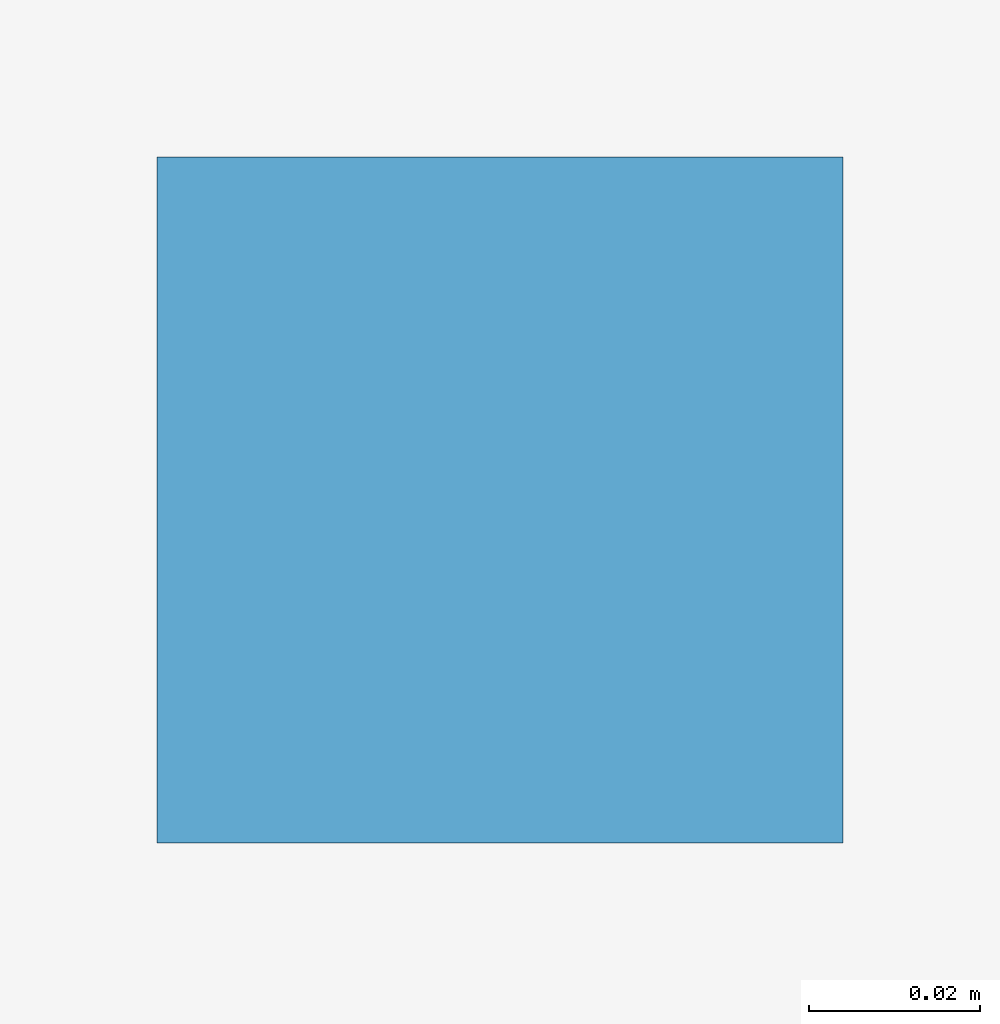
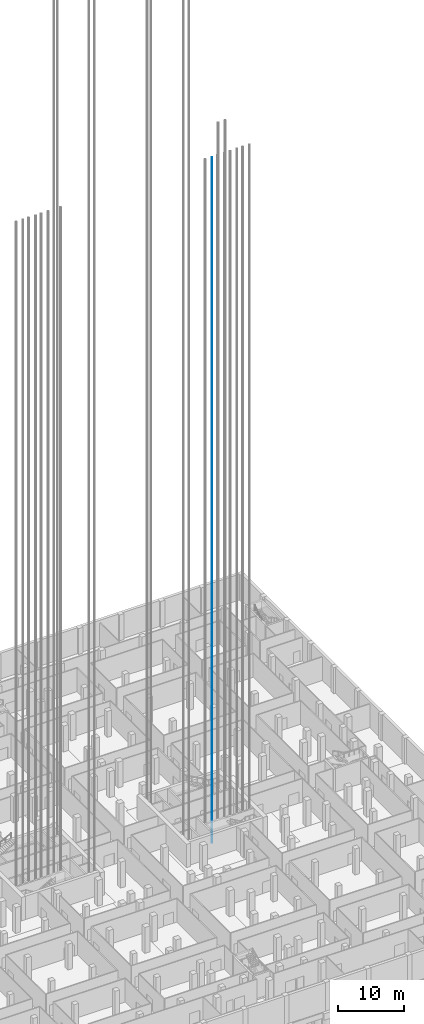
# One storey, part 43 of 54: 1 discrete accessory.
"""IFC4 building model written with IfcOpenShell, lengths in metres."""

from ifc_helpers import new_model, si_unit, direction, frame, origin, origin_2d, place, context, subcontext, project, spatial, rectangle, extrude, material, element, save


model = new_model("IFC4")

# Units and contexts
model_context = context("Model", 3, precision=1e-05, world=origin(), true_north=direction((0.0, 1.0)))
body_context = subcontext(model_context, "Body", "Model", "MODEL_VIEW")
ifc_project = project(units=[si_unit("LENGTHUNIT", "METRE"), si_unit("AREAUNIT", "SQUARE_METRE"), si_unit("VOLUMEUNIT", "CUBIC_METRE"), si_unit("PLANEANGLEUNIT", "RADIAN"), si_unit("MASSUNIT", "GRAM", prefix="KILO")], contexts=[model_context])

# Site, building, storey
site_placement = place(None, origin())
site = spatial("IfcSite", under=ifc_project, at=site_placement, CompositionType="ELEMENT")
building_placement = place(site_placement, origin())
building = spatial("IfcBuilding", under=site, at=building_placement, Name="Fustian Cross Tower", CompositionType="ELEMENT")
storey_placement = place(building_placement, frame((0.0, 0.0, -4.800048828125)))
storey = spatial("IfcBuildingStorey", under=building, at=storey_placement, Name="B1", CompositionType="ELEMENT", Elevation=-4.800048828125)

# Discrete accessory
ifc_material = material(Name="Steel S355", Category="steel")
discrete_accessory_placement = place(storey_placement, frame((13.875, -3.7099609375, 0.0), z_axis=(0.0, 0.0, 1.0), x_axis=(1.0, 0.0, 0.0)))
element("IfcDiscreteAccessory", 1, at=discrete_accessory_placement, inside=storey, material=ifc_material, Name="Lift guide rail LR1 2", PredefinedType="NOTDEFINED", context=body_context, shape_type="SweptSolid", body=[
    extrude(rectangle(XDim=0.080078125, YDim=0.080078125, at=origin_2d()), origin(), (0.0, 0.0, 1.0), 127.14990234375),
])

save(model, "model.ifc")
